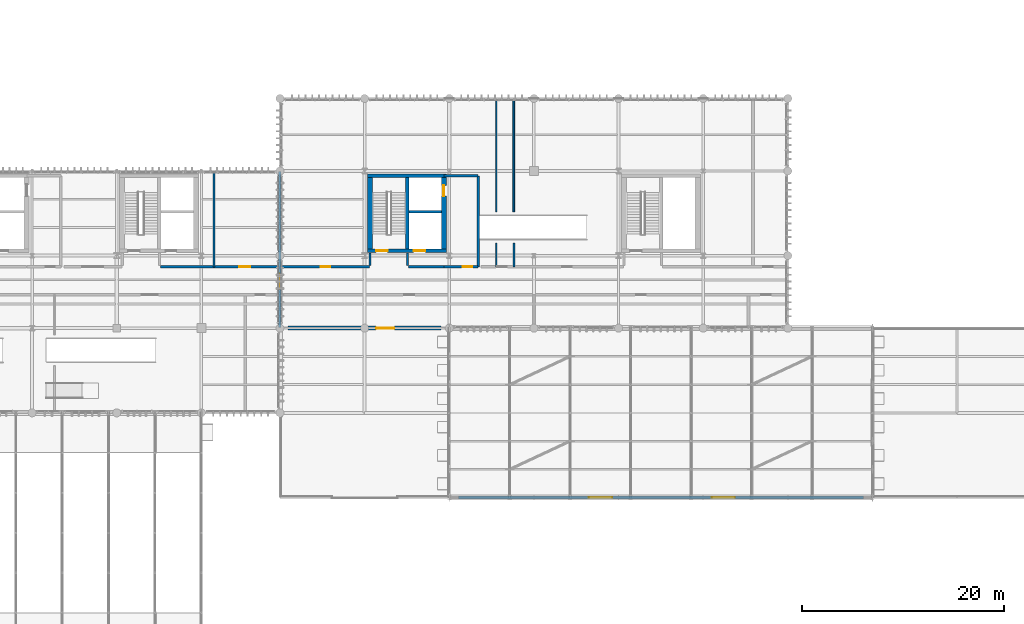
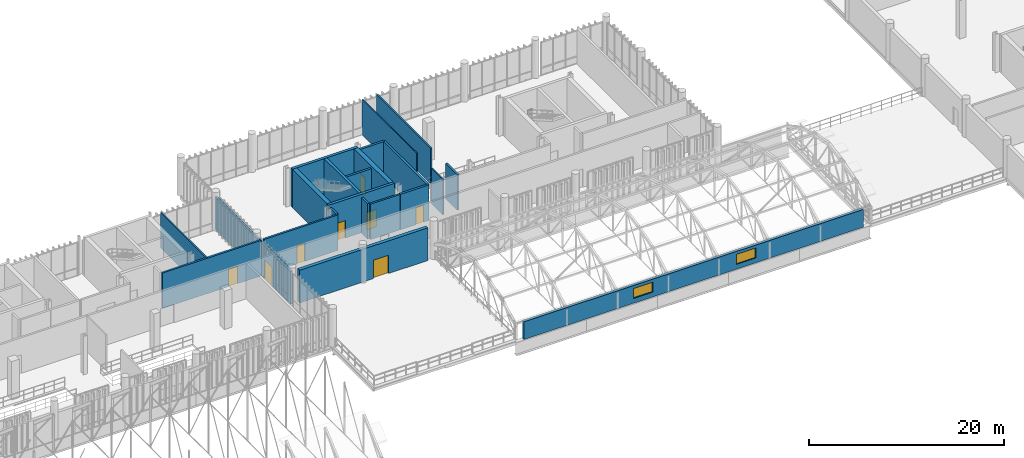
# One storey, part 92 of 109: 22 walls, 8 doors, 2 windows, 10 openings.
"""IFC4 building model written with IfcOpenShell, lengths in metres."""

from ifc_helpers import new_model, si_unit, direction, frame, frame_2d, origin_with_axes, place, context, subcontext, project, spatial, rectangle, extrude, material, layer, layer_set, type_object, element, fill, save


model = new_model("IFC4")

# Units and contexts
model_context = context("Model", 3, precision=1e-05, world=origin_with_axes(), true_north=direction((0.0, 1.0)))
body_context = subcontext(model_context, "Body", "Model", "MODEL_VIEW")
ifc_project = project(units=[si_unit("LENGTHUNIT", "METRE"), si_unit("AREAUNIT", "SQUARE_METRE"), si_unit("VOLUMEUNIT", "CUBIC_METRE"), si_unit("PLANEANGLEUNIT", "RADIAN"), si_unit("MASSUNIT", "GRAM", prefix="KILO"), si_unit("THERMODYNAMICTEMPERATUREUNIT", "KELVIN")], contexts=[model_context])

# Site, building, storey
site_placement = place(None, origin_with_axes())
site = spatial("IfcSite", under=ifc_project, at=site_placement, CompositionType="ELEMENT")
building_placement = place(site_placement, origin_with_axes())
building = spatial("IfcBuilding", under=site, at=building_placement, Name="Montbau Bow Law Courts", CompositionType="ELEMENT")
storey_placement = place(building_placement, frame((0.0, 0.0, 10.8), z_axis=(0.0, 0.0, 1.0), x_axis=(1.0, 0.0, 0.0)))
storey = spatial("IfcBuildingStorey", under=building, at=storey_placement, Name="L02", CompositionType="ELEMENT", Elevation=10.8)

# Wall, opening, door
ifc_material_1 = material(Name="Concrete CSA A23.1 f'c 45 MPa", Category="concrete")
ifc_layer_1 = layer(ifc_material_1, 0.5, Name="Shear Wall", Category="concrete")
ifc_layer_set_1 = layer_set([ifc_layer_1], Name="Concrete CSA A23.1 f'c 45 MPa")
wall_type_1 = type_object("IfcWallType", Name="W-COR-01", PredefinedType="SHEAR", material=ifc_layer_set_1)
wall_1_placement = place(None, frame((63.06, 46.84, 10.8), z_axis=(0.0, 0.0, 1.0), x_axis=(0.0, 1.0, 0.0)))
wall_1 = element("IfcWall", 1, at=wall_1_placement, inside=storey, type_object=wall_type_1, Name="WC-L02-0162:wal_0229", PredefinedType="SHEAR", context=body_context, shape_type="SweptSolid", body=[
    extrude(rectangle(XDim=7.119999999999997, YDim=0.5, at=frame_2d((3.56, 0.0), x_axis=(1.0, 0.0))), origin_with_axes(), (0.0, 0.0, 1.0), 4.8),
])
opening_1_placement = place(None, frame((63.06, 52.64, 10.8), z_axis=(0.0, 0.0, 1.0), x_axis=(0.0, 1.0, 0.0)))
opening_1 = element("IfcOpeningElement", 2, at=opening_1_placement, cuts=wall_1, Name="OP-LD-L02-EL-J3", PredefinedType="OPENING", context=body_context, shape_type="SweptSolid", body=[
    extrude(rectangle(XDim=1.06, YDim=2.16, at=frame_2d((0.0, 1.08), x_axis=(1.0, 0.0))), frame((0.0, 0.26, 0.0), z_axis=(0.0, -1.0, 0.0), x_axis=(1.0, 0.0, 0.0)), (0.0, 0.0, 1.0), 0.52),
])
ifc_material_2 = material(Name="Bronze-Clad Judicial Elevator Landing Door", Category="steel")
door_type_1 = type_object("IfcDoorType", Name="LD-JUD-01", OperationType="NOTDEFINED", ParameterTakesPrecedence=False, PredefinedType="DOOR", material=ifc_material_2)
door_1_placement = place(None, frame((63.06, 52.64, 10.8), z_axis=(0.0, 0.0, 1.0), x_axis=(0.0, 1.0, 0.0)))
door_1 = element("IfcDoor", 3, at=door_1_placement, inside=storey, type_object=door_type_1, Name="LD-L02-EL-J3:dor_0103", OperationType="SLIDING_TO_LEFT", OverallHeight=2.16, OverallWidth=1.06, PredefinedType="DOOR", context=body_context, shape_type="SweptSolid", body=[
    extrude(rectangle(XDim=1.06, YDim=2.16, at=frame_2d((0.0, 1.08), x_axis=(1.0, 0.0))), frame((0.0, 0.04, 0.0), z_axis=(0.0, -1.0, 0.0), x_axis=(1.0, 0.0, 0.0)), (0.0, 0.0, 1.0), 0.08),
])
fill(opening_1, door_1)

# Wall
wall_2_placement = place(None, frame((55.74, 53.96, 10.8), z_axis=(0.0, 0.0, 1.0), x_axis=(0.0, -1.0, 0.0)))
element("IfcWall", 4, at=wall_2_placement, inside=storey, type_object=wall_type_1, Name="WC-L02-0163:wal_0230", PredefinedType="SHEAR", context=body_context, shape_type="SweptSolid", body=[
    extrude(rectangle(XDim=7.119999999999997, YDim=0.5, at=frame_2d((3.56, 0.0), x_axis=(1.0, 0.0))), origin_with_axes(), (0.0, 0.0, 1.0), 4.8),
])

# Wall, openings, doors
ifc_layer_2 = layer(ifc_material_1, 0.32, Name="Shear Wall", Category="concrete")
ifc_layer_set_2 = layer_set([ifc_layer_2], Name="Concrete CSA A23.1 f'c 45 MPa")
wall_type_2 = type_object("IfcWallType", Name="W-COR-05", PredefinedType="SHEAR", material=ifc_layer_set_2)
wall_3_placement = place(None, frame((55.49, 46.68, 10.8), z_axis=(0.0, 0.0, 1.0), x_axis=(1.0, 0.0, 0.0)))
wall_3 = element("IfcWall", 5, at=wall_3_placement, inside=storey, type_object=wall_type_2, Name="WC-L02-0160:wal_0227", PredefinedType="SHEAR", context=body_context, shape_type="SweptSolid", body=[
    extrude(rectangle(XDim=7.82, YDim=0.32, at=frame_2d((3.91, 0.0), x_axis=(1.0, 0.0))), origin_with_axes(), (0.0, 0.0, 1.0), 4.8),
])
opening_2_placement = place(None, frame((56.91, 46.68, 10.8), z_axis=(0.0, 0.0, 1.0), x_axis=(1.0, 0.0, 0.0)))
opening_2 = element("IfcOpeningElement", 6, at=opening_2_placement, cuts=wall_3, Name="OP-D-L02-ST-P4", PredefinedType="OPENING", context=body_context, shape_type="SweptSolid", body=[
    extrude(rectangle(XDim=1.14, YDim=2.18, at=frame_2d((0.0, 1.09), x_axis=(1.0, 0.0))), frame((0.0, 0.17, 0.0), z_axis=(0.0, -1.0, 0.0), x_axis=(1.0, 0.0, 0.0)), (0.0, 0.0, 1.0), 0.34),
])
opening_3_placement = place(None, frame((60.65, 46.68, 10.8), z_axis=(0.0, 0.0, 1.0), x_axis=(1.0, 0.0, 0.0)))
opening_3 = element("IfcOpeningElement", 7, at=opening_3_placement, cuts=wall_3, Name="OP-LD-L02-EL-P3", PredefinedType="OPENING", context=body_context, shape_type="SweptSolid", body=[
    extrude(rectangle(XDim=1.16, YDim=2.2, at=frame_2d((0.0, 1.1), x_axis=(1.0, 0.0))), frame((0.0, 0.17, 0.0), z_axis=(0.0, -1.0, 0.0), x_axis=(1.0, 0.0, 0.0)), (0.0, 0.0, 1.0), 0.34),
])
ifc_material_3 = material(Name="1.5 h Fire-Rated Hollow-Metal Exit Stair Door", Category="steel")
door_type_2 = type_object("IfcDoorType", Name="D-ST-01", OperationType="NOTDEFINED", ParameterTakesPrecedence=False, PredefinedType="DOOR", material=ifc_material_3)
door_2_placement = place(None, frame((56.91, 46.68, 10.8), z_axis=(0.0, 0.0, 1.0), x_axis=(-1.0, 0.0, 0.0)))
door_2 = element("IfcDoor", 8, at=door_2_placement, inside=storey, type_object=door_type_2, Name="D-L02-ST-P4:dor_0101", OperationType="SINGLE_SWING_RIGHT", OverallHeight=2.18, OverallWidth=1.14, PredefinedType="DOOR", context=body_context, shape_type="SweptSolid", body=[
    extrude(rectangle(XDim=1.14, YDim=2.18, at=frame_2d((0.0, 1.09), x_axis=(1.0, 0.0))), frame((0.0, 0.04, 0.0), z_axis=(0.0, -1.0, 0.0), x_axis=(1.0, 0.0, 0.0)), (0.0, 0.0, 1.0), 0.08),
])
fill(opening_2, door_2)
ifc_material_4 = material(Name="Brushed Stainless Steel Elevator Landing Door", Category="steel")
door_type_3 = type_object("IfcDoorType", Name="LD-PUB-01", OperationType="NOTDEFINED", ParameterTakesPrecedence=False, PredefinedType="DOOR", material=ifc_material_4)
door_3_placement = place(None, frame((60.65, 46.68, 10.8), z_axis=(0.0, 0.0, 1.0), x_axis=(-1.0, 0.0, 0.0)))
door_3 = element("IfcDoor", 9, at=door_3_placement, inside=storey, type_object=door_type_3, Name="LD-L02-EL-P3:dor_0102", OperationType="SLIDING_TO_LEFT", OverallHeight=2.2, OverallWidth=1.16, PredefinedType="DOOR", context=body_context, shape_type="SweptSolid", body=[
    extrude(rectangle(XDim=1.16, YDim=2.2, at=frame_2d((0.0, 1.1), x_axis=(1.0, 0.0))), frame((0.0, 0.04, 0.0), z_axis=(0.0, -1.0, 0.0), x_axis=(1.0, 0.0, 0.0)), (0.0, 0.0, 1.0), 0.08),
])
fill(opening_3, door_3)

# Walls
wall_4_placement = place(None, frame((63.31, 54.12, 10.8), z_axis=(0.0, 0.0, 1.0), x_axis=(-1.0, 0.0, 0.0)))
element("IfcWall", 10, at=wall_4_placement, inside=storey, type_object=wall_type_2, Name="WC-L02-0161:wal_0228", PredefinedType="SHEAR", context=body_context, shape_type="SweptSolid", body=[
    extrude(rectangle(XDim=7.82, YDim=0.32, at=frame_2d((3.91, 0.0), x_axis=(1.0, 0.0))), origin_with_axes(), (0.0, 0.0, 1.0), 4.8),
])
wall_5_placement = place(None, frame((59.42, 46.84, 10.8), z_axis=(0.0, 0.0, 1.0), x_axis=(0.0, 1.0, 0.0)))
element("IfcWall", 11, at=wall_5_placement, inside=storey, type_object=wall_type_2, Name="WS-L02-0164:wal_0231", PredefinedType="SHEAR", context=body_context, shape_type="SweptSolid", body=[
    extrude(rectangle(XDim=7.119999999999997, YDim=0.32, at=frame_2d((3.56, 0.0), x_axis=(1.0, 0.0))), origin_with_axes(), (0.0, 0.0, 1.0), 4.8),
])

# Wall, opening, door
ifc_material_5 = material(Name="Polychrome Glazed Ceramic Rainscreen Insulated Wall", Category="masonry")
ifc_layer_3 = layer(ifc_material_5, 0.4, Name="Solid Wall", Category="masonry")
ifc_layer_set_3 = layer_set([ifc_layer_3], Name="Polychrome Glazed Ceramic Rainscreen Insulated Wall")
wall_type_3 = type_object("IfcWallType", Name="W-EXT-04", PredefinedType="SOLIDWALL", material=ifc_layer_set_3)
wall_6_placement = place(None, frame((47.6, 39.0, 10.8), z_axis=(0.0, 0.0, 1.0), x_axis=(1.0, 0.0, 0.0)))
wall_6 = element("IfcWall", 12, at=wall_6_placement, inside=storey, type_object=wall_type_3, Name="WE-L02-033:wal_0050", PredefinedType="SOLIDWALL", context=body_context, shape_type="SweptSolid", body=[
    extrude(rectangle(XDim=15.199999999999996, YDim=0.4, at=frame_2d((7.6, 0.0), x_axis=(1.0, 0.0))), origin_with_axes(), (0.0, 0.0, 1.0), 4.104),
])
opening_4_placement = place(None, frame((57.25, 39.0, 10.8), z_axis=(0.0, 0.0, 1.0), x_axis=(1.0, 0.0, 0.0)))
opening_4 = element("IfcOpeningElement", 13, at=opening_4_placement, cuts=wall_6, Name="OP-D-TER-01", PredefinedType="OPENING", context=body_context, shape_type="SweptSolid", body=[
    extrude(rectangle(XDim=1.8, YDim=2.3, at=frame_2d((0.0, 1.15), x_axis=(1.0, 0.0))), frame((0.0, 0.21, 0.0), z_axis=(0.0, -1.0, 0.0), x_axis=(1.0, 0.0, 0.0)), (0.0, 0.0, 1.0), 0.42),
])
ifc_material_6 = material(Name="Thermally Broken Glazed Roof-Garden Double Door", Category="aluminium")
door_type_4 = type_object("IfcDoorType", Name="D-EXT-07", OperationType="NOTDEFINED", ParameterTakesPrecedence=False, PredefinedType="DOOR", material=ifc_material_6)
door_4_placement = place(None, frame((57.25, 39.0, 10.8), z_axis=(0.0, 0.0, 1.0), x_axis=(1.0, 0.0, 0.0)))
door_4 = element("IfcDoor", 14, at=door_4_placement, inside=storey, type_object=door_type_4, Name="D-TER-01:dor_0024", OperationType="DOUBLE_DOOR_SINGLE_SWING", OverallHeight=2.3, OverallWidth=1.8, PredefinedType="DOOR", context=body_context, shape_type="SweptSolid", body=[
    extrude(rectangle(XDim=1.8, YDim=2.3, at=frame_2d((0.0, 1.15), x_axis=(1.0, 0.0))), frame((0.0, 0.04, 0.0), z_axis=(0.0, -1.0, 0.0), x_axis=(1.0, 0.0, 0.0)), (0.0, 0.0, 1.0), 0.08),
])
fill(opening_4, door_4)

# Wall, openings, windows
ifc_material_7 = material(Name="Insulated Clerestory Curb Wall Assembly", Category="masonry")
ifc_layer_4 = layer(ifc_material_7, 0.34, Name="Solid Wall", Category="masonry")
ifc_layer_set_4 = layer_set([ifc_layer_4], Name="Insulated Clerestory Curb Wall Assembly")
wall_type_4 = type_object("IfcWallType", Name="W-EXT-06", PredefinedType="SOLIDWALL", material=ifc_layer_set_4)
wall_7_placement = place(None, frame((64.5, 22.2, 10.48), z_axis=(0.0, 0.0, 1.0), x_axis=(1.0, 0.0, 0.0)))
wall_7 = element("IfcWall", 15, at=wall_7_placement, inside=storey, type_object=wall_type_4, Name="WC-VLT-V4-S:wal_0059", PredefinedType="SOLIDWALL", context=body_context, shape_type="SweptSolid", body=[
    extrude(rectangle(XDim=40.2, YDim=0.34, at=frame_2d((20.1, 0.0), x_axis=(1.0, 0.0))), origin_with_axes(), (0.0, 0.0, 1.0), 2.22),
])
opening_5_placement = place(None, frame((78.6, 22.2, 11.08), z_axis=(0.0, 0.0, 1.0), x_axis=(1.0, 0.0, 0.0)))
opening_5 = element("IfcOpeningElement", 16, at=opening_5_placement, cuts=wall_7, Name="OP-SK-V4-05", PredefinedType="OPENING", context=body_context, shape_type="SweptSolid", body=[
    extrude(rectangle(XDim=2.3, YDim=1.25, at=frame_2d((0.0, 0.625), x_axis=(1.0, 0.0))), frame((0.0, 0.18, 0.0), z_axis=(0.0, -1.0, 0.0), x_axis=(1.0, 0.0, 0.0)), (0.0, 0.0, 1.0), 0.36),
])
opening_6_placement = place(None, frame((90.8, 22.2, 11.08), z_axis=(0.0, 0.0, 1.0), x_axis=(1.0, 0.0, 0.0)))
opening_6 = element("IfcOpeningElement", 17, at=opening_6_placement, cuts=wall_7, Name="OP-SK-V4-06", PredefinedType="OPENING", context=body_context, shape_type="SweptSolid", body=[
    extrude(rectangle(XDim=2.3, YDim=1.25, at=frame_2d((0.0, 0.625), x_axis=(1.0, 0.0))), frame((0.0, 0.18, 0.0), z_axis=(0.0, -1.0, 0.0), x_axis=(1.0, 0.0, 0.0)), (0.0, 0.0, 1.0), 0.36),
])
ifc_material_8 = material(Name="Triple-Glazed Public Hall Lantern Skylight", Category="glass")
window_type = type_object("IfcWindowType", Name="SK-VLT-02", ParameterTakesPrecedence=False, PartitioningType="SINGLE_PANEL", PredefinedType="SKYLIGHT", material=ifc_material_8)
window_1_placement = place(None, frame((78.6, 22.2, 11.08), z_axis=(0.0, 0.0, 1.0), x_axis=(1.0, 0.0, 0.0)))
window_1 = element("IfcWindow", 18, at=window_1_placement, inside=storey, type_object=window_type, Name="SK-V4-05:win_0111", OverallHeight=1.25, OverallWidth=2.3, PartitioningType="SINGLE_PANEL", PredefinedType="SKYLIGHT", context=body_context, shape_type="SweptSolid", body=[
    extrude(rectangle(XDim=2.3, YDim=1.25, at=frame_2d((0.0, 0.625), x_axis=(1.0, 0.0))), frame((0.0, 0.03, 0.0), z_axis=(0.0, -1.0, 0.0), x_axis=(1.0, 0.0, 0.0)), (0.0, 0.0, 1.0), 0.06),
])
fill(opening_5, window_1)
window_2_placement = place(None, frame((90.8, 22.2, 11.08), z_axis=(0.0, 0.0, 1.0), x_axis=(1.0, 0.0, 0.0)))
window_2 = element("IfcWindow", 19, at=window_2_placement, inside=storey, type_object=window_type, Name="SK-V4-06:win_0112", OverallHeight=1.25, OverallWidth=2.3, PartitioningType="SINGLE_PANEL", PredefinedType="SKYLIGHT", context=body_context, shape_type="SweptSolid", body=[
    extrude(rectangle(XDim=2.3, YDim=1.25, at=frame_2d((0.0, 0.625), x_axis=(1.0, 0.0))), frame((0.0, 0.03, 0.0), z_axis=(0.0, -1.0, 0.0), x_axis=(1.0, 0.0, 0.0)), (0.0, 0.0, 1.0), 0.06),
])
fill(opening_6, window_2)

# Walls
ifc_material_9 = material(Name="2 h Shaft and Exit-Passage Fire Separation Partition", Category="gypsum")
ifc_layer_5 = layer(ifc_material_9, 0.25, Name="Partition", Category="gypsum")
ifc_layer_set_5 = layer_set([ifc_layer_5], Name="2 h Shaft and Exit-Passage Fire Separation Partition")
wall_type_5 = type_object("IfcWallType", Name="W-PRT-01", PredefinedType="PARTITIONING", material=ifc_layer_set_5)
wall_8_placement = place(None, frame((59.58, 50.549, 10.8), z_axis=(0.0, 0.0, 1.0), x_axis=(1.0, 0.0, 0.0)))
element("IfcWall", 20, at=wall_8_placement, inside=storey, type_object=wall_type_5, Name="WS-L02-0165:wal_0232", PredefinedType="PARTITIONING", context=body_context, shape_type="SweptSolid", body=[
    extrude(rectangle(XDim=3.230000000000004, YDim=0.25, at=frame_2d((1.615, 0.0), x_axis=(1.0, 0.0))), origin_with_axes(), (0.0, 0.0, 1.0), 4.44),
])
wall_9_placement = place(None, frame((66.46, 45.09, 10.8), z_axis=(0.0, 0.0, 1.0), x_axis=(0.0, 1.0, 0.0)))
element("IfcWall", 21, at=wall_9_placement, inside=storey, type_object=wall_type_5, Name="WEL-L02-0166:wal_0233", PredefinedType="PARTITIONING", context=body_context, shape_type="SweptSolid", body=[
    extrude(rectangle(XDim=9.029999999999994, YDim=0.25, at=frame_2d((4.515, 0.0), x_axis=(1.0, 0.0))), origin_with_axes(), (0.0, 0.0, 1.0), 4.44),
])
wall_10_placement = place(None, frame((63.1, 54.12, 10.8), z_axis=(0.0, 0.0, 1.0), x_axis=(1.0, 0.0, 0.0)))
element("IfcWall", 22, at=wall_10_placement, inside=storey, type_object=wall_type_5, Name="WEL-L02-0167:wal_0234", PredefinedType="PARTITIONING", context=body_context, shape_type="SweptSolid", body=[
    extrude(rectangle(XDim=3.3599999999999923, YDim=0.25, at=frame_2d((1.68, 0.0), x_axis=(1.0, 0.0))), origin_with_axes(), (0.0, 0.0, 1.0), 4.44),
])

# Wall, opening, door
wall_11_placement = place(None, frame((63.1, 45.09, 10.8), z_axis=(0.0, 0.0, 1.0), x_axis=(1.0, 0.0, 0.0)))
wall_11 = element("IfcWall", 23, at=wall_11_placement, inside=storey, type_object=wall_type_5, Name="WEL-L02-0168:wal_0235", PredefinedType="PARTITIONING", context=body_context, shape_type="SweptSolid", body=[
    extrude(rectangle(XDim=3.3599999999999923, YDim=0.25, at=frame_2d((1.68, 0.0), x_axis=(1.0, 0.0))), origin_with_axes(), (0.0, 0.0, 1.0), 4.44),
])
opening_7_placement = place(None, frame((65.405, 45.09, 10.8), z_axis=(0.0, 0.0, 1.0), x_axis=(1.0, 0.0, 0.0)))
opening_7 = element("IfcOpeningElement", 24, at=opening_7_placement, cuts=wall_11, Name="OP-D-L02-ELB-CORE-C1", PredefinedType="OPENING", context=body_context, shape_type="SweptSolid", body=[
    extrude(rectangle(XDim=0.91, YDim=2.12, at=frame_2d((0.0, 1.06), x_axis=(1.0, 0.0))), frame((0.0, 0.135, 0.0), z_axis=(0.0, -1.0, 0.0), x_axis=(1.0, 0.0, 0.0)), (0.0, 0.0, 1.0), 0.27),
])
ifc_material_10 = material(Name="Public and Judicial Washroom Solid-Core Door", Category="wood")
door_type_5 = type_object("IfcDoorType", Name="D-WC-02", OperationType="NOTDEFINED", ParameterTakesPrecedence=False, PredefinedType="DOOR", material=ifc_material_10)
door_5_placement = place(None, frame((65.405, 45.09, 10.8), z_axis=(0.0, 0.0, 1.0), x_axis=(1.0, 0.0, 0.0)))
door_5 = element("IfcDoor", 25, at=door_5_placement, inside=storey, type_object=door_type_5, Name="D-L02-ELB-CORE-C1:dor_0104", OperationType="SINGLE_SWING_LEFT", OverallHeight=2.12, OverallWidth=0.91, PredefinedType="DOOR", context=body_context, shape_type="SweptSolid", body=[
    extrude(rectangle(XDim=0.91, YDim=2.12, at=frame_2d((0.0, 1.06), x_axis=(1.0, 0.0))), frame((0.0, 0.04, 0.0), z_axis=(0.0, -1.0, 0.0), x_axis=(1.0, 0.0, 0.0)), (0.0, 0.0, 1.0), 0.08),
])
fill(opening_7, door_5)

wall_12_placement = place(None, frame((46.8, 39.05, 10.8), z_axis=(0.0, 0.0, 1.0), x_axis=(0.0, 1.0, 0.0)))
wall_12 = element("IfcWall", 26, at=wall_12_placement, inside=storey, type_object=wall_type_5, Name="WLK-L02-0559:wal_0626", PredefinedType="PARTITIONING", context=body_context, shape_type="SweptSolid", body=[
    extrude(rectangle(XDim=15.5, YDim=0.25, at=frame_2d((7.75, 0.0), x_axis=(1.0, 0.0))), origin_with_axes(), (0.0, 0.0, 1.0), 4.104),
])
opening_8_placement = place(None, frame((46.8, 43.65, 10.8), z_axis=(0.0, 0.0, 1.0), x_axis=(0.0, 1.0, 0.0)))
opening_8 = element("IfcOpeningElement", 27, at=opening_8_placement, cuts=wall_12, Name="OP-D-LNK-208", PredefinedType="OPENING", context=body_context, shape_type="SweptSolid", body=[
    extrude(rectangle(XDim=1.6, YDim=2.32, at=frame_2d((0.0, 1.16), x_axis=(1.0, 0.0))), frame((0.0, 0.135, 0.0), z_axis=(0.0, -1.0, 0.0), x_axis=(1.0, 0.0, 0.0)), (0.0, 0.0, 1.0), 0.27),
])
ifc_material_11 = material(Name="Jury Assembly Lounge Glazed Oak Double Door", Category="wood")
door_type_6 = type_object("IfcDoorType", Name="D-JUR-02", OperationType="NOTDEFINED", ParameterTakesPrecedence=False, PredefinedType="DOOR", material=ifc_material_11)
door_6_placement = place(None, frame((46.8, 43.65, 10.8), z_axis=(0.0, 0.0, 1.0), x_axis=(0.0, 1.0, 0.0)))
door_6 = element("IfcDoor", 28, at=door_6_placement, inside=storey, type_object=door_type_6, Name="D-LNK-208:dor_0242", OperationType="DOUBLE_DOOR_SINGLE_SWING", OverallHeight=2.32, OverallWidth=1.6, PredefinedType="DOOR", context=body_context, shape_type="SweptSolid", body=[
    extrude(rectangle(XDim=1.6, YDim=2.32, at=frame_2d((0.0, 1.16), x_axis=(1.0, 0.0))), frame((0.0, 0.04, 0.0), z_axis=(0.0, -1.0, 0.0), x_axis=(1.0, 0.0, 0.0)), (0.0, 0.0, 1.0), 0.08),
])
fill(opening_8, door_6)

ifc_material_12 = material(Name="STC-60 High-Acoustic Courtroom Perimeter Partition", Category="gypsum")
ifc_layer_6 = layer(ifc_material_12, 0.22, Name="Partition", Category="gypsum")
ifc_layer_set_6 = layer_set([ifc_layer_6], Name="STC-60 High-Acoustic Courtroom Perimeter Partition")
wall_type_6 = type_object("IfcWallType", Name="W-PRT-02", PredefinedType="PARTITIONING", material=ifc_layer_set_6)
wall_13_placement = place(None, frame((34.95, 45.09, 10.8), z_axis=(0.0, 0.0, 1.0), x_axis=(1.0, 0.0, 0.0)))
wall_13 = element("IfcWall", 29, at=wall_13_placement, inside=storey, type_object=wall_type_6, Name="WP-L02-0735:wal_0802", PredefinedType="PARTITIONING", context=body_context, shape_type="SweptSolid", body=[
    extrude(rectangle(XDim=11.709999999999994, YDim=0.22, at=frame_2d((5.855, 0.0), x_axis=(1.0, 0.0))), origin_with_axes(), (0.0, 0.0, 1.0), 4.44),
])
opening_9_placement = place(None, frame((43.293, 45.09, 10.8), z_axis=(0.0, 0.0, 1.0), x_axis=(1.0, 0.0, 0.0)))
opening_9 = element("IfcOpeningElement", 30, at=opening_9_placement, cuts=wall_13, Name="OP-D-L02-301", PredefinedType="OPENING", context=body_context, shape_type="SweptSolid", body=[
    extrude(rectangle(XDim=1.08, YDim=2.18, at=frame_2d((0.0, 1.09), x_axis=(1.0, 0.0))), frame((0.0, 0.12, 0.0), z_axis=(0.0, -1.0, 0.0), x_axis=(1.0, 0.0, 0.0)), (0.0, 0.0, 1.0), 0.24),
])
ifc_material_13 = material(Name="Detention-Grade Steel Custody Corridor Interlock Gate", Category="steel")
door_type_7 = type_object("IfcDoorType", Name="D-GAT-02", OperationType="NOTDEFINED", ParameterTakesPrecedence=False, PredefinedType="GATE", material=ifc_material_13)
door_7_placement = place(None, frame((43.293, 45.09, 10.8), z_axis=(0.0, 0.0, 1.0), x_axis=(-1.0, 0.0, 0.0)))
door_7 = element("IfcDoor", 31, at=door_7_placement, inside=storey, type_object=door_type_7, Name="D-L02-301:dor_0336", OperationType="SINGLE_SWING_RIGHT", OverallHeight=2.18, OverallWidth=1.08, PredefinedType="GATE", context=body_context, shape_type="SweptSolid", body=[
    extrude(rectangle(XDim=1.08, YDim=2.18, at=frame_2d((0.0, 1.09), x_axis=(1.0, 0.0))), frame((0.0, 0.04, 0.0), z_axis=(0.0, -1.0, 0.0), x_axis=(1.0, 0.0, 0.0)), (0.0, 0.0, 1.0), 0.08),
])
fill(opening_9, door_7)

# Walls
for number, where, z_axis, x_axis, name in (
    (32, (55.74, 45.22, 10.8), (0.0, 0.0, 1.0), (0.0, 1.0, 0.0), "WCX-L02-0741:wal_0808"),
    (33, (59.45, 45.22, 10.8), (0.0, 0.0, 1.0), (0.0, 1.0, 0.0), "WCX-L02-0742:wal_0809"),
):
    element("IfcWall", number, at=place(None, frame(where, z_axis=z_axis, x_axis=x_axis)), inside=storey, type_object=wall_type_6, Name=name, PredefinedType="PARTITIONING", context=body_context, shape_type="SweptSolid", body=[
        extrude(rectangle(XDim=1.259999999999998, YDim=0.22, at=frame_2d((0.63, 0.0), x_axis=(1.0, 0.0))), origin_with_axes(), (0.0, 0.0, 1.0), 4.44),
    ])

# Wall, opening, door
wall_14_placement = place(None, frame((46.94, 45.09, 10.8), z_axis=(0.0, 0.0, 1.0), x_axis=(1.0, 0.0, 0.0)))
wall_14 = element("IfcWall", 34, at=wall_14_placement, inside=storey, type_object=wall_type_6, Name="WP-L02-0745:wal_0812", PredefinedType="PARTITIONING", context=body_context, shape_type="SweptSolid", body=[
    extrude(rectangle(XDim=8.760000000000005, YDim=0.22, at=frame_2d((4.38, 0.0), x_axis=(1.0, 0.0))), origin_with_axes(), (0.0, 0.0, 1.0), 4.44),
])
opening_10_placement = place(None, frame((51.32, 45.09, 10.8), z_axis=(0.0, 0.0, 1.0), x_axis=(1.0, 0.0, 0.0)))
opening_10 = element("IfcOpeningElement", 35, at=opening_10_placement, cuts=wall_14, Name="OP-D-L02-305", PredefinedType="OPENING", context=body_context, shape_type="SweptSolid", body=[
    extrude(rectangle(XDim=0.94, YDim=2.3, at=frame_2d((0.0, 1.15), x_axis=(1.0, 0.0))), frame((0.0, 0.12, 0.0), z_axis=(0.0, -1.0, 0.0), x_axis=(1.0, 0.0, 0.0)), (0.0, 0.0, 1.0), 0.24),
])
ifc_material_14 = material(Name="Appellate Justice Suite Solid White-Oak Door", Category="wood")
door_type_8 = type_object("IfcDoorType", Name="D-CHM-02", OperationType="NOTDEFINED", ParameterTakesPrecedence=False, PredefinedType="DOOR", material=ifc_material_14)
door_8_placement = place(None, frame((51.32, 45.09, 10.8), z_axis=(0.0, 0.0, 1.0), x_axis=(-1.0, 0.0, 0.0)))
door_8 = element("IfcDoor", 36, at=door_8_placement, inside=storey, type_object=door_type_8, Name="D-L02-305:dor_0340", OperationType="SINGLE_SWING_RIGHT", OverallHeight=2.3, OverallWidth=0.94, PredefinedType="DOOR", context=body_context, shape_type="SweptSolid", body=[
    extrude(rectangle(XDim=0.94, YDim=2.3, at=frame_2d((0.0, 1.15), x_axis=(1.0, 0.0))), frame((0.0, 0.04, 0.0), z_axis=(0.0, -1.0, 0.0), x_axis=(1.0, 0.0, 0.0)), (0.0, 0.0, 1.0), 0.08),
])
fill(opening_10, door_8)

# Walls
wall_15_placement = place(None, frame((59.55, 45.09, 10.8), z_axis=(0.0, 0.0, 1.0), x_axis=(1.0, 0.0, 0.0)))
element("IfcWall", 37, at=wall_15_placement, inside=storey, type_object=wall_type_6, Name="WP-L02-0746:wal_0813", PredefinedType="PARTITIONING", context=body_context, shape_type="SweptSolid", body=[
    extrude(rectangle(XDim=3.510000000000005, YDim=0.22, at=frame_2d((1.755, 0.0), x_axis=(1.0, 0.0))), origin_with_axes(), (0.0, 0.0, 1.0), 4.44),
])
ifc_material_15 = material(Name="STC-55 Jury Deliberation Security Partition", Category="gypsum")
ifc_layer_7 = layer(ifc_material_15, 0.2, Name="Partition", Category="gypsum")
ifc_layer_set_7 = layer_set([ifc_layer_7], Name="STC-55 Jury Deliberation Security Partition")
wall_type_7 = type_object("IfcWallType", Name="W-PRT-03", PredefinedType="PARTITIONING", material=ifc_layer_set_7)
wall_16_placement = place(None, frame((70.002, 45.09, 10.8), z_axis=(0.0, 0.0, 1.0), x_axis=(0.0, 1.0, 0.0)))
element("IfcWall", 38, at=wall_16_placement, inside=storey, type_object=wall_type_7, Name="WD-L02-0754:wal_0821", PredefinedType="PARTITIONING", context=body_context, shape_type="SweptSolid", body=[
    extrude(rectangle(XDim=2.3599999999999994, YDim=0.2, at=frame_2d((1.18, 0.0), x_axis=(1.0, 0.0))), origin_with_axes(), (0.0, 0.0, 1.0), 4.44),
])
ifc_material_16 = material(Name="1 h Corridor Fire-Rated Gypsum Partition", Category="gypsum")
ifc_layer_8 = layer(ifc_material_16, 0.18, Name="Partition", Category="gypsum")
ifc_layer_set_8 = layer_set([ifc_layer_8], Name="1 h Corridor Fire-Rated Gypsum Partition")
wall_type_8 = type_object("IfcWallType", Name="W-PRT-04", PredefinedType="PARTITIONING", material=ifc_layer_set_8)
wall_17_placement = place(None, frame((70.002, 50.55, 10.8), z_axis=(0.0, 0.0, 1.0), x_axis=(0.0, 1.0, 0.0)))
element("IfcWall", 39, at=wall_17_placement, inside=storey, type_object=wall_type_8, Name="WD-L02-0755:wal_0822", PredefinedType="PARTITIONING", context=body_context, shape_type="SweptSolid", body=[
    extrude(rectangle(XDim=11.11, YDim=0.18, at=frame_2d((5.555, 0.0), x_axis=(1.0, 0.0))), origin_with_axes(), (0.0, 0.0, 1.0), 4.44),
])
ifc_material_17 = material(Name="STC-52 Judicial Chambers Acoustic Partition", Category="gypsum")
ifc_layer_9 = layer(ifc_material_17, 0.16, Name="Partition", Category="gypsum")
ifc_layer_set_9 = layer_set([ifc_layer_9], Name="STC-52 Judicial Chambers Acoustic Partition")
wall_type_9 = type_object("IfcWallType", Name="W-PRT-05", PredefinedType="PARTITIONING", material=ifc_layer_set_9)
wall_18_placement = place(None, frame((40.25, 45.09, 10.8), z_axis=(0.0, 0.0, 1.0), x_axis=(0.0, 1.0, 0.0)))
element("IfcWall", 40, at=wall_18_placement, inside=storey, type_object=wall_type_9, Name="WD-L02-0738:wal_0805", PredefinedType="PARTITIONING", context=body_context, shape_type="SweptSolid", body=[
    extrude(rectangle(XDim=9.369999999999997, YDim=0.16, at=frame_2d((4.685, 0.0), x_axis=(1.0, 0.0))), origin_with_axes(), (0.0, 0.0, 1.0), 4.44),
])
ifc_material_18 = material(Name="1 h Registry Office Steel-Stud Fire Partition", Category="gypsum")
ifc_layer_10 = layer(ifc_material_18, 0.14, Name="Partition", Category="gypsum")
ifc_layer_set_10 = layer_set([ifc_layer_10], Name="1 h Registry Office Steel-Stud Fire Partition")
wall_type_10 = type_object("IfcWallType", Name="W-PRT-06", PredefinedType="PARTITIONING", material=ifc_layer_set_10)
wall_19_placement = place(None, frame((68.261, 45.09, 10.8), z_axis=(0.0, 0.0, 1.0), x_axis=(0.0, 1.0, 0.0)))
element("IfcWall", 41, at=wall_19_placement, inside=storey, type_object=wall_type_10, Name="WD-L02-0752:wal_0819", PredefinedType="PARTITIONING", context=body_context, shape_type="SweptSolid", body=[
    extrude(rectangle(XDim=2.3599999999999994, YDim=0.14, at=frame_2d((1.18, 0.0), x_axis=(1.0, 0.0))), origin_with_axes(), (0.0, 0.0, 1.0), 4.44),
])
ifc_material_19 = material(Name="1 h Interior Demising Acoustic Stud Partition", Category="gypsum")
ifc_layer_11 = layer(ifc_material_19, 0.12, Name="Partition", Category="gypsum")
ifc_layer_set_11 = layer_set([ifc_layer_11], Name="1 h Interior Demising Acoustic Stud Partition")
wall_type_11 = type_object("IfcWallType", Name="W-PRT-07", PredefinedType="PARTITIONING", material=ifc_layer_set_11)
wall_20_placement = place(None, frame((68.261, 50.55, 10.8), z_axis=(0.0, 0.0, 1.0), x_axis=(0.0, 1.0, 0.0)))
element("IfcWall", 42, at=wall_20_placement, inside=storey, type_object=wall_type_11, Name="WD-L02-0753:wal_0820", PredefinedType="PARTITIONING", context=body_context, shape_type="SweptSolid", body=[
    extrude(rectangle(XDim=11.11, YDim=0.12, at=frame_2d((5.555, 0.0), x_axis=(1.0, 0.0))), origin_with_axes(), (0.0, 0.0, 1.0), 4.44),
])

save(model, "model.ifc")
